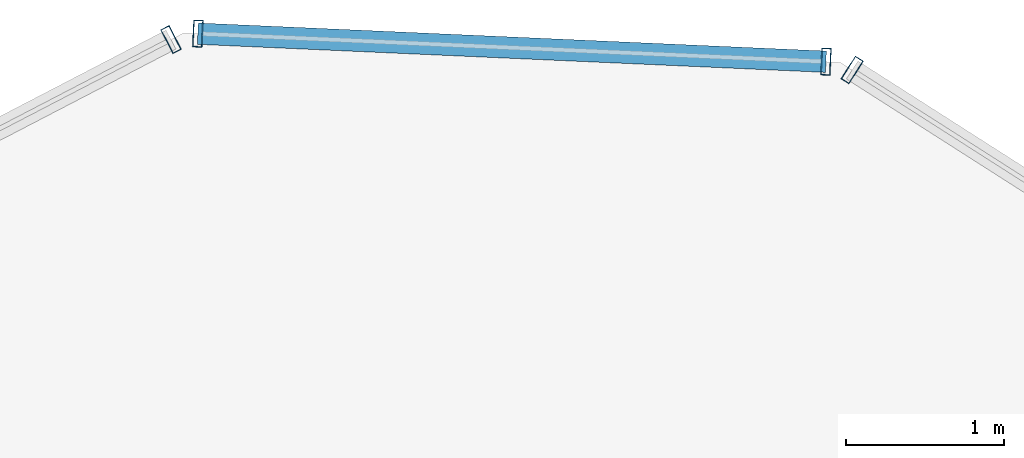
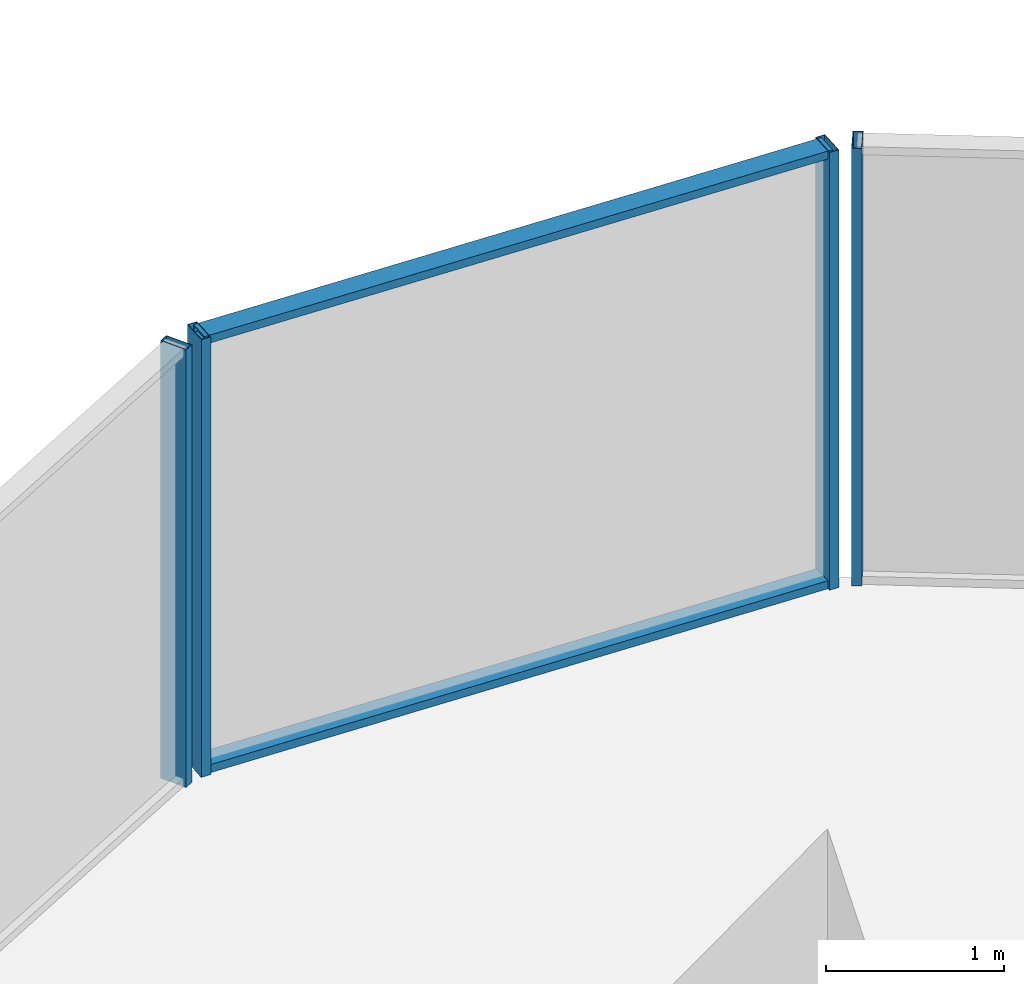
# One storey, part 23 of 30: 6 members, 3 elements without a shape of their own.
"""IFC4 building model written with IfcOpenShell, lengths in metres."""

from ifc_helpers import new_model, si_unit, direction, frame, origin, origin_2d, place, context, subcontext, project, spatial, hollow_rectangle, extrude, source, transform, mapped, material, layer, layer_set, material_profile, profile_set, type_object, element, aggregate, save


model = new_model("IFC4")

# Units and contexts
model_context = context("Model", 3, precision=1e-05, world=origin(), true_north=direction((0.0, 1.0)))
body_context = subcontext(model_context, "Body", "Model", "MODEL_VIEW")
ifc_project = project(units=[si_unit("LENGTHUNIT", "METRE"), si_unit("AREAUNIT", "SQUARE_METRE"), si_unit("VOLUMEUNIT", "CUBIC_METRE"), si_unit("PLANEANGLEUNIT", "RADIAN"), si_unit("MASSUNIT", "GRAM", prefix="KILO")], contexts=[model_context])

# Site, building, storey
site_placement = place(None, origin())
site = spatial("IfcSite", under=ifc_project, at=site_placement, CompositionType="ELEMENT")
building_placement = place(site_placement, origin())
building = spatial("IfcBuilding", under=site, at=building_placement, Name="Veraguas Prism Commons", CompositionType="ELEMENT")
storey_placement = place(building_placement, frame((0.0, 0.0, 119.75)))
storey = spatial("IfcBuildingStorey", under=building, at=storey_placement, Name="L33", CompositionType="ELEMENT", Elevation=119.75)

# Curtain wall, member
ifc_material = material(Name="Anodised aluminium EN AW-6063 T6", Category="aluminium")
ifc_layer = layer(ifc_material, 0.169921875, Name="Unitised Flush Curtain Wall Zone 2", Category="aluminium")
ifc_layer_set = layer_set([ifc_layer], Name="Anodised aluminium EN AW-6063 T6")
curtain_wall_type = type_object("IfcCurtainWallType", Name="Unitised Flush Curtain Wall Zone 2", PredefinedType="NOTDEFINED", material=ifc_layer_set)
curtain_wall_1_placement = place(storey_placement, origin())
curtain_wall_1 = element("IfcCurtainWall", 1, at=curtain_wall_1_placement, inside=storey, type_object=curtain_wall_type, Name="Tower Facade Curtain Wall L33-F1", PredefinedType="NOTDEFINED")
ifc_material_profile_1 = material_profile(ifc_material, hollow_rectangle(XDim=0.06005859375, YDim=0.169921875, WallThickness=0.00390625, at=origin_2d()), Name="AL60X170X4")
ifc_profile_set_1 = profile_set([ifc_material_profile_1], Name="Anodised aluminium EN AW-6063 T6")
member_type_1 = type_object("IfcMemberType", Name="Curtain Wall Mullion Lower AL 60x170x4", PredefinedType="MULLION", material=ifc_profile_set_1)
shared_shape_1 = source(origin(), body_context, "Body", "SweptSolid", [
    extrude(hollow_rectangle(XDim=0.06005859375, YDim=0.169921875, WallThickness=0.00390625, at=origin_2d()), origin(), (0.0, 0.0, 1.0), 3.0),
])
member_1_placement = place(storey_placement, frame((27.086181640625, 44.7890625, 0.0), z_axis=(0.0, 0.0, 1.0), x_axis=(-0.842827385334, 0.538183982047, 0.0)))
member_1 = element("IfcMember", 2, at=member_1_placement, type_object=member_type_1, Name="CW-Z2 Mullion 5", PredefinedType="MULLION", context=body_context, shape_type="MappedRepresentation", body=[
    mapped(shared_shape_1, transform((0.0, 0.0, 0.0), scale=1.0)),
])
aggregate(curtain_wall_1, [member_1])

curtain_wall_2_placement = place(storey_placement, origin())
curtain_wall_2 = element("IfcCurtainWall", 3, at=curtain_wall_2_placement, inside=storey, type_object=curtain_wall_type, Name="Tower Facade Curtain Wall L33-F2", PredefinedType="NOTDEFINED")
member_2_placement = place(storey_placement, frame((22.781494140625, 44.9814453125, 0.0), z_axis=(0.0, 0.0, 1.0), x_axis=(-0.887493888749, -0.46081948465, 0.0)))
member_2 = element("IfcMember", 4, at=member_2_placement, type_object=member_type_1, Name="CW-Z2 Mullion 1", PredefinedType="MULLION", context=body_context, shape_type="MappedRepresentation", body=[
    mapped(shared_shape_1, transform((0.0, 0.0, 0.0), scale=1.0)),
])
aggregate(curtain_wall_2, [member_2])

# Curtain wall, members
curtain_wall_3_placement = place(storey_placement, origin())
curtain_wall_3 = element("IfcCurtainWall", 5, at=curtain_wall_3_placement, inside=storey, type_object=curtain_wall_type, Name="Chamfer Curtain Wall L33-C2", PredefinedType="NOTDEFINED")
member_3_placement = place(storey_placement, frame((26.92041015625, 44.841552734375, 0.0), z_axis=(0.0, 0.0, 1.0), x_axis=(-0.999002541303, 0.044653358993, 0.0)))
member_3 = element("IfcMember", 6, at=member_3_placement, type_object=member_type_1, Name="CW-Z2 Mullion 1", PredefinedType="MULLION", context=body_context, shape_type="MappedRepresentation", body=[
    mapped(shared_shape_1, transform((0.0, 0.0, 0.0), scale=1.0)),
])
member_4_placement = place(storey_placement, frame((22.951171875, 45.018798828125, 0.0), z_axis=(0.0, 0.0, 1.0), x_axis=(-0.999002541303, 0.044653358993, 0.0)))
member_4 = element("IfcMember", 7, at=member_4_placement, type_object=member_type_1, Name="CW-Z2 Mullion 2", PredefinedType="MULLION", context=body_context, shape_type="MappedRepresentation", body=[
    mapped(shared_shape_1, transform((0.0, 0.0, 0.0), scale=1.0)),
])
ifc_material_profile_2 = material_profile(ifc_material, hollow_rectangle(XDim=0.054931640625, YDim=0.135009765625, WallThickness=0.0029296875, at=origin_2d()), Name="AL55X135X3")
ifc_profile_set_2 = profile_set([ifc_material_profile_2], Name="Anodised aluminium EN AW-6063 T6")
member_type_2 = type_object("IfcMemberType", Name="Curtain Wall Transom Standard AL 55x135x3", PredefinedType="USERDEFINED", material=ifc_profile_set_2)
shared_shape_2 = source(origin(), body_context, "Body", "SweptSolid", [
    extrude(hollow_rectangle(XDim=0.054931640625, YDim=0.135009765625, WallThickness=0.0029296875, at=origin_2d()), origin(), (0.0, 0.0, 1.0), 3.97314453125),
])
member_5_placement = place(storey_placement, frame((26.92041015625, 44.841552734375, 0.027587890625), z_axis=(-0.999004456842, 0.044610483188, 0.0), x_axis=(0.0, 0.0, 1.0)))
member_5 = element("IfcMember", 8, at=member_5_placement, type_object=member_type_2, Name="CW-Z2 Transom 1", ObjectType="TRANSOM", PredefinedType="USERDEFINED", context=body_context, shape_type="MappedRepresentation", body=[
    mapped(shared_shape_2, transform((0.0, 0.0, 0.0), scale=1.0)),
])
member_6_placement = place(storey_placement, frame((26.92041015625, 44.841552734375, 2.972412109375), z_axis=(-0.999004456842, 0.044610483188, 0.0), x_axis=(0.0, 0.0, 1.0)))
member_6 = element("IfcMember", 9, at=member_6_placement, type_object=member_type_2, Name="CW-Z2 Transom 2", ObjectType="TRANSOM", PredefinedType="USERDEFINED", context=body_context, shape_type="MappedRepresentation", body=[
    mapped(shared_shape_2, transform((0.0, 0.0, 0.0), scale=1.0)),
])
aggregate(curtain_wall_3, [member_3, member_4, member_5, member_6])

save(model, "model.ifc")
